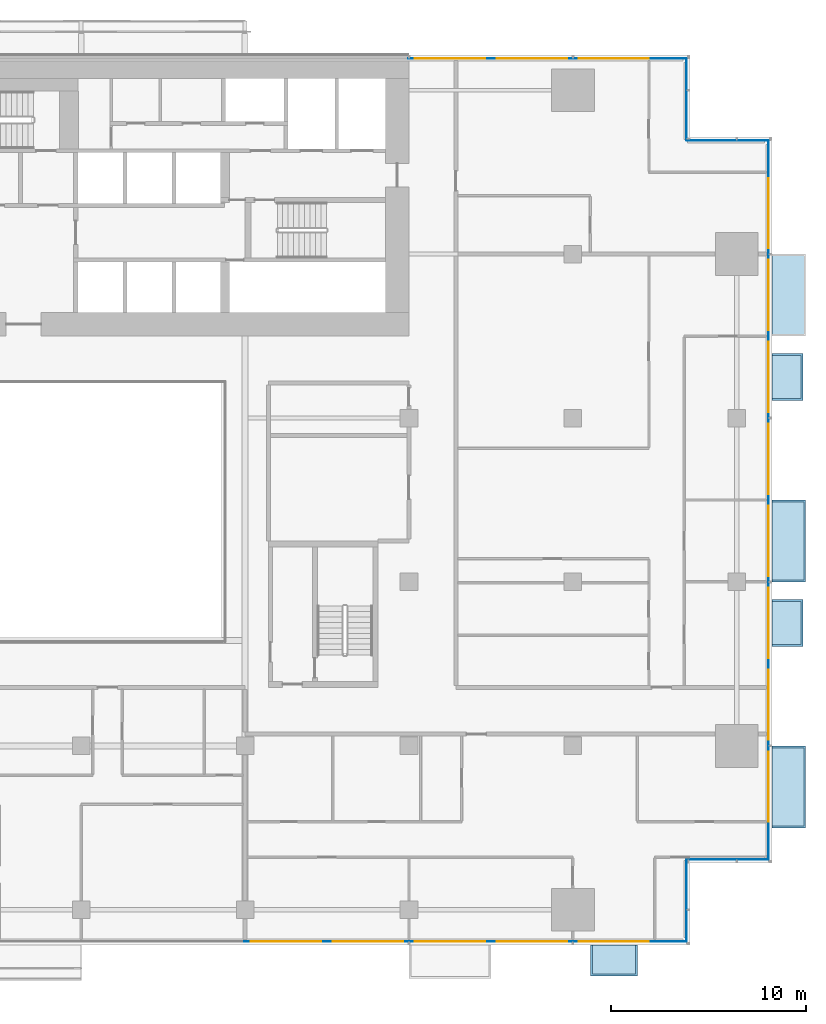
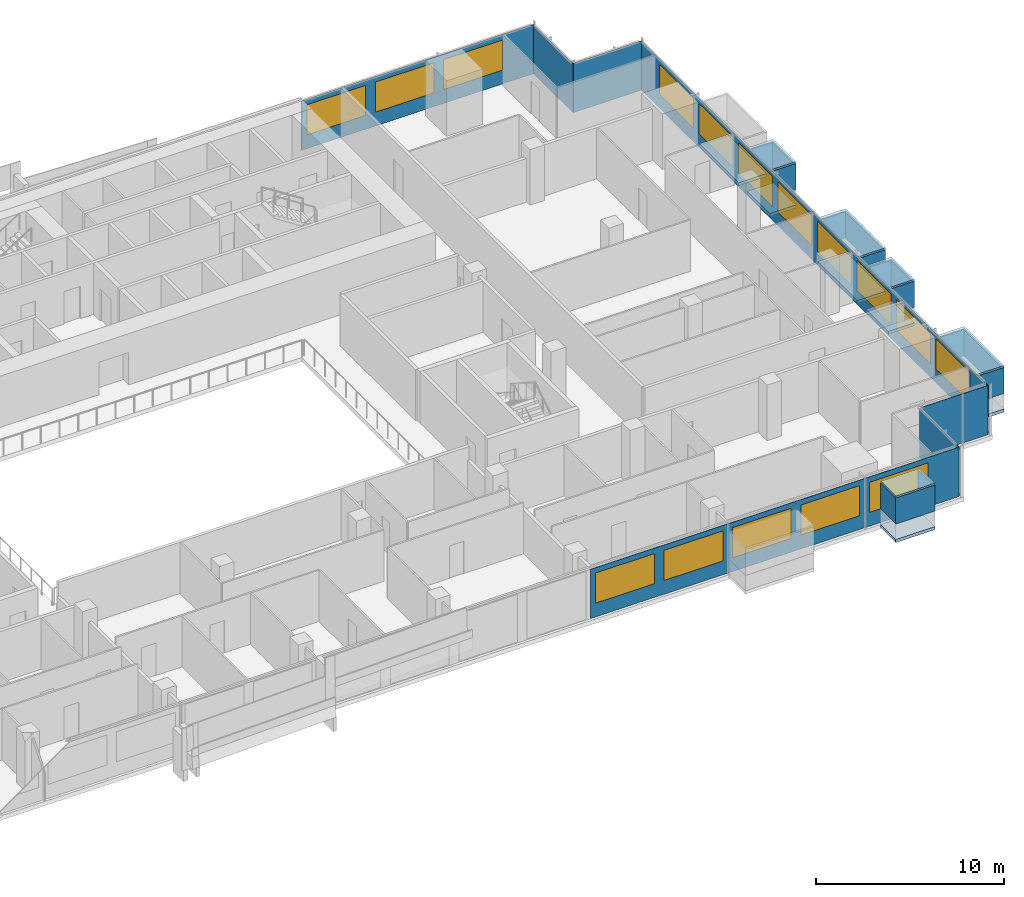
# One storey, part 16 of 27: 17 plates, 16 windows, 6 slabs, 16 openings, 7 elements without a shape of their own.
"""IFC4 building model written with IfcOpenShell, lengths in metres."""

from ifc_helpers import new_model, si_unit, direction, frame, frame_2d, origin, place, context, subcontext, project, spatial, polyline, rectangle, outline, extrude, material, layer, layer_set, type_object, element, fill, aggregate, save


model = new_model("IFC4")

# Units and contexts
model_context = context("Model", 3, precision=1e-05, world=origin(), true_north=direction((0.0, 1.0)))
body_context = subcontext(model_context, "Body", "Model", "MODEL_VIEW")
ifc_project = project(units=[si_unit("LENGTHUNIT", "METRE"), si_unit("AREAUNIT", "SQUARE_METRE"), si_unit("VOLUMEUNIT", "CUBIC_METRE"), si_unit("PLANEANGLEUNIT", "RADIAN"), si_unit("MASSUNIT", "GRAM", prefix="KILO")], contexts=[model_context])

# Site, building, storey
site_placement = place(None, origin())
site = spatial("IfcSite", under=ifc_project, at=site_placement, CompositionType="ELEMENT")
building_placement = place(site_placement, origin())
building = spatial("IfcBuilding", under=site, at=building_placement, Name="Saffron Gate Tower", CompositionType="ELEMENT")
storey_placement = place(building_placement, frame((0.0, 0.0, 40.800048828125)))
storey = spatial("IfcBuildingStorey", under=building, at=storey_placement, Name="L08", CompositionType="ELEMENT", Elevation=40.800048828125)

# Curtain wall, plate, openings, windows
ifc_material_1 = material(Name="Aluminium, bronze anodised", Category="aluminium")
curtain_wall_type_1 = type_object("IfcCurtainWallType", Name="CWS1 curtain wall front facade", PredefinedType="NOTDEFINED", material=ifc_material_1)
curtain_wall_1_placement = place(storey_placement, origin())
curtain_wall_1 = element("IfcCurtainWall", 1, at=curtain_wall_1_placement, inside=storey, type_object=curtain_wall_type_1, Name="CWS1 run 1", PredefinedType="NOTDEFINED")
ifc_material_2 = material(Name="Fritted bronze-tinted laminated glass", Category="glass")
ifc_layer_1 = layer(ifc_material_2, 0.028076171875)
ifc_layer_set_1 = layer_set([ifc_layer_1], Name="CWS1 fixed glass")
plate_type_1 = type_object("IfcPlateType", Name="CWS1 fixed glass", PredefinedType="CURTAIN_PANEL", material=ifc_layer_set_1)
plate_1_placement = place(storey_placement, frame((100.169921875, 30.174072265625, 0.0), z_axis=(0.0, 0.0, 1.0), x_axis=(1.0, 0.0, 0.0)))
plate_1 = element("IfcPlate", 2, at=plate_1_placement, type_object=plate_type_1, Name="CWS1 glass panel", PredefinedType="CURTAIN_PANEL", context=body_context, shape_type="SweptSolid", body=[
    extrude(rectangle(XDim=22.64208984375, YDim=0.028076171875, at=frame_2d((11.321044921875, 0.0))), origin(), (0.0, 0.0, 1.0), 3.199951171875),
])
opening_1_placement = place(plate_1_placement, frame((0.330078125, 0.0, 0.89990234375)))
opening_1 = element("IfcOpeningElement", 3, at=opening_1_placement, cuts=plate_1, Name="Opening W1", PredefinedType="OPENING", context=body_context, shape_type="SweptSolid", body=[
    extrude(rectangle(XDim=3.60009765625, YDim=1.949951171875, at=frame_2d((1.800048828125, 0.97509765625))), frame((0.0, 0.02392578125, 0.0), z_axis=(0.0, -1.0, 0.0), x_axis=(1.0, 0.0, 0.0)), (0.0, 0.0, 1.0), 0.048095703125),
])
opening_2_placement = place(plate_1_placement, frame((4.530029296875, 0.0, 0.89990234375)))
opening_2 = element("IfcOpeningElement", 4, at=opening_2_placement, cuts=plate_1, Name="Opening W1", PredefinedType="OPENING", context=body_context, shape_type="SweptSolid", body=[
    extrude(rectangle(XDim=3.60009765625, YDim=1.949951171875, at=frame_2d((1.800048828125, 0.97509765625))), frame((0.0, 0.02392578125, 0.0), z_axis=(0.0, -1.0, 0.0), x_axis=(1.0, 0.0, 0.0)), (0.0, 0.0, 1.0), 0.048095703125),
])
opening_3_placement = place(plate_1_placement, frame((8.72998046875, 0.0, 0.89990234375)))
opening_3 = element("IfcOpeningElement", 5, at=opening_3_placement, cuts=plate_1, Name="Opening W1", PredefinedType="OPENING", context=body_context, shape_type="SweptSolid", body=[
    extrude(rectangle(XDim=3.60009765625, YDim=1.949951171875, at=frame_2d((1.800048828125, 0.97509765625))), frame((0.0, 0.02392578125, 0.0), z_axis=(0.0, -1.0, 0.0), x_axis=(1.0, 0.0, 0.0)), (0.0, 0.0, 1.0), 0.048095703125),
])
opening_4_placement = place(plate_1_placement, frame((12.929931640625, 0.0, 0.89990234375)))
opening_4 = element("IfcOpeningElement", 6, at=opening_4_placement, cuts=plate_1, Name="Opening W1", PredefinedType="OPENING", context=body_context, shape_type="SweptSolid", body=[
    extrude(rectangle(XDim=3.60009765625, YDim=1.949951171875, at=frame_2d((1.800048828125, 0.97509765625))), frame((0.0, 0.02392578125, 0.0), z_axis=(0.0, -1.0, 0.0), x_axis=(1.0, 0.0, 0.0)), (0.0, 0.0, 1.0), 0.048095703125),
])
opening_5_placement = place(plate_1_placement, frame((17.1298828125, 0.0, 0.89990234375)))
opening_5 = element("IfcOpeningElement", 7, at=opening_5_placement, cuts=plate_1, Name="Opening W1", PredefinedType="OPENING", context=body_context, shape_type="SweptSolid", body=[
    extrude(rectangle(XDim=3.60009765625, YDim=1.949951171875, at=frame_2d((1.800048828125, 0.97509765625))), frame((0.0, 0.02392578125, 0.0), z_axis=(0.0, -1.0, 0.0), x_axis=(1.0, 0.0, 0.0)), (0.0, 0.0, 1.0), 0.048095703125),
])
ifc_material_3 = material(Name="Fritted bronze-tinted laminated glass in bronze frame", Category="glass")
ifc_layer_2 = layer(ifc_material_3, 0.06005859375)
ifc_layer_set_2 = layer_set([ifc_layer_2], Name="W1 operable panel 3600x1950")
window_type = type_object("IfcWindowType", Name="W1 operable panel 3600x1950", PartitioningType="DOUBLE_PANEL_HORIZONTAL", PredefinedType="WINDOW", material=ifc_layer_set_2)
window_1_placement = place(opening_1_placement, origin())
window_1 = element("IfcWindow", 8, at=window_1_placement, type_object=window_type, Name="W1 operable panel", OverallHeight=1.949951171875, OverallWidth=3.60009765625, PartitioningType="SINGLE_PANEL", PredefinedType="WINDOW", context=body_context, shape_type="SweptSolid", body=[
    extrude(rectangle(XDim=3.60009765625, YDim=1.949951171875, at=frame_2d((1.800048828125, 0.97509765625))), frame((0.0, 0.013671875, 0.0), z_axis=(0.0, -1.0, 0.0), x_axis=(1.0, 0.0, 0.0)), (0.0, 0.0, 1.0), 0.027587890625),
])
fill(opening_1, window_1)
window_2_placement = place(opening_2_placement, origin())
window_2 = element("IfcWindow", 9, at=window_2_placement, type_object=window_type, Name="W1 operable panel", OverallHeight=1.949951171875, OverallWidth=3.60009765625, PartitioningType="SINGLE_PANEL", PredefinedType="WINDOW", context=body_context, shape_type="SweptSolid", body=[
    extrude(rectangle(XDim=3.60009765625, YDim=1.949951171875, at=frame_2d((1.800048828125, 0.97509765625))), frame((0.0, 0.013671875, 0.0), z_axis=(0.0, -1.0, 0.0), x_axis=(1.0, 0.0, 0.0)), (0.0, 0.0, 1.0), 0.027587890625),
])
fill(opening_2, window_2)
window_3_placement = place(opening_3_placement, origin())
window_3 = element("IfcWindow", 10, at=window_3_placement, type_object=window_type, Name="W1 operable panel", OverallHeight=1.949951171875, OverallWidth=3.60009765625, PartitioningType="SINGLE_PANEL", PredefinedType="WINDOW", context=body_context, shape_type="SweptSolid", body=[
    extrude(rectangle(XDim=3.60009765625, YDim=1.949951171875, at=frame_2d((1.800048828125, 0.97509765625))), frame((0.0, 0.013671875, 0.0), z_axis=(0.0, -1.0, 0.0), x_axis=(1.0, 0.0, 0.0)), (0.0, 0.0, 1.0), 0.027587890625),
])
fill(opening_3, window_3)
window_4_placement = place(opening_4_placement, origin())
window_4 = element("IfcWindow", 11, at=window_4_placement, type_object=window_type, Name="W1 operable panel", OverallHeight=1.949951171875, OverallWidth=3.60009765625, PartitioningType="SINGLE_PANEL", PredefinedType="WINDOW", context=body_context, shape_type="SweptSolid", body=[
    extrude(rectangle(XDim=3.60009765625, YDim=1.949951171875, at=frame_2d((1.800048828125, 0.97509765625))), frame((0.0, 0.013671875, 0.0), z_axis=(0.0, -1.0, 0.0), x_axis=(1.0, 0.0, 0.0)), (0.0, 0.0, 1.0), 0.027587890625),
])
fill(opening_4, window_4)
window_5_placement = place(opening_5_placement, origin())
window_5 = element("IfcWindow", 12, at=window_5_placement, type_object=window_type, Name="W1 operable panel", OverallHeight=1.949951171875, OverallWidth=3.60009765625, PartitioningType="SINGLE_PANEL", PredefinedType="WINDOW", context=body_context, shape_type="SweptSolid", body=[
    extrude(rectangle(XDim=3.60009765625, YDim=1.949951171875, at=frame_2d((1.800048828125, 0.97509765625))), frame((0.0, 0.013671875, 0.0), z_axis=(0.0, -1.0, 0.0), x_axis=(1.0, 0.0, 0.0)), (0.0, 0.0, 1.0), 0.027587890625),
])
fill(opening_5, window_5)
aggregate(curtain_wall_1, [plate_1, window_1, window_2, window_3, window_4, window_5])

curtain_wall_type_2 = type_object("IfcCurtainWallType", Name="CWS2 curtain wall side facades", PredefinedType="NOTDEFINED", material=ifc_material_1)
curtain_wall_2_placement = place(storey_placement, origin())
curtain_wall_2 = element("IfcCurtainWall", 13, at=curtain_wall_2_placement, inside=storey, type_object=curtain_wall_type_2, Name="CWS2 run 4", PredefinedType="NOTDEFINED")
ifc_layer_3 = layer(ifc_material_2, 0.028076171875)
ifc_layer_set_3 = layer_set([ifc_layer_3], Name="CWS2 fixed glass")
plate_type_2 = type_object("IfcPlateType", Name="CWS2 fixed glass", PredefinedType="CURTAIN_PANEL", material=ifc_layer_set_3)
plate_2_placement = place(storey_placement, frame((127.02587890625, 34.387939453125, 0.0), z_axis=(0.0, 0.0, 1.0), x_axis=(0.0, 1.0, 0.0)))
plate_2 = element("IfcPlate", 14, at=plate_2_placement, type_object=plate_type_2, Name="CWS2 glass panel", PredefinedType="CURTAIN_PANEL", context=body_context, shape_type="SweptSolid", body=[
    extrude(rectangle(XDim=36.823974609375, YDim=0.028076171875, at=frame_2d((18.412109375, 0.0))), origin(), (0.0, 0.0, 1.0), 3.199951171875),
])
opening_6_placement = place(plate_2_placement, frame((1.912109375, 0.0, 0.89990234375)))
opening_6 = element("IfcOpeningElement", 15, at=opening_6_placement, cuts=plate_2, Name="Opening W1", PredefinedType="OPENING", context=body_context, shape_type="SweptSolid", body=[
    extrude(rectangle(XDim=3.60009765625, YDim=1.949951171875, at=frame_2d((1.800048828125, 0.97509765625))), frame((0.0, 0.02392578125, 0.0), z_axis=(0.0, -1.0, 0.0), x_axis=(1.0, 0.0, 0.0)), (0.0, 0.0, 1.0), 0.048095703125),
])
opening_7_placement = place(plate_2_placement, frame((6.112060546875, 0.0, 0.89990234375)))
opening_7 = element("IfcOpeningElement", 16, at=opening_7_placement, cuts=plate_2, Name="Opening W1", PredefinedType="OPENING", context=body_context, shape_type="SweptSolid", body=[
    extrude(rectangle(XDim=3.60009765625, YDim=1.949951171875, at=frame_2d((1.800048828125, 0.97509765625))), frame((0.0, 0.02392578125, 0.0), z_axis=(0.0, -1.0, 0.0), x_axis=(1.0, 0.0, 0.0)), (0.0, 0.0, 1.0), 0.048095703125),
])
opening_8_placement = place(plate_2_placement, frame((10.31201171875, 0.0, 0.89990234375)))
opening_8 = element("IfcOpeningElement", 17, at=opening_8_placement, cuts=plate_2, Name="Opening W1", PredefinedType="OPENING", context=body_context, shape_type="SweptSolid", body=[
    extrude(rectangle(XDim=3.60009765625, YDim=1.949951171875, at=frame_2d((1.800048828125, 0.97509765625))), frame((0.0, 0.02392578125, 0.0), z_axis=(0.0, -1.0, 0.0), x_axis=(1.0, 0.0, 0.0)), (0.0, 0.0, 1.0), 0.048095703125),
])
opening_9_placement = place(plate_2_placement, frame((14.511962890625, 0.0, 0.89990234375)))
opening_9 = element("IfcOpeningElement", 18, at=opening_9_placement, cuts=plate_2, Name="Opening W1", PredefinedType="OPENING", context=body_context, shape_type="SweptSolid", body=[
    extrude(rectangle(XDim=3.60009765625, YDim=1.949951171875, at=frame_2d((1.800048828125, 0.97509765625))), frame((0.0, 0.02392578125, 0.0), z_axis=(0.0, -1.0, 0.0), x_axis=(1.0, 0.0, 0.0)), (0.0, 0.0, 1.0), 0.048095703125),
])
opening_10_placement = place(plate_2_placement, frame((18.7119140625, 0.0, 0.89990234375)))
opening_10 = element("IfcOpeningElement", 19, at=opening_10_placement, cuts=plate_2, Name="Opening W1", PredefinedType="OPENING", context=body_context, shape_type="SweptSolid", body=[
    extrude(rectangle(XDim=3.60009765625, YDim=1.949951171875, at=frame_2d((1.800048828125, 0.97509765625))), frame((0.0, 0.02392578125, 0.0), z_axis=(0.0, -1.0, 0.0), x_axis=(1.0, 0.0, 0.0)), (0.0, 0.0, 1.0), 0.048095703125),
])
opening_11_placement = place(plate_2_placement, frame((22.912109375, 0.0, 0.89990234375)))
opening_11 = element("IfcOpeningElement", 20, at=opening_11_placement, cuts=plate_2, Name="Opening W1", PredefinedType="OPENING", context=body_context, shape_type="SweptSolid", body=[
    extrude(rectangle(XDim=3.60009765625, YDim=1.949951171875, at=frame_2d((1.800048828125, 0.97509765625))), frame((0.0, 0.02392578125, 0.0), z_axis=(0.0, -1.0, 0.0), x_axis=(1.0, 0.0, 0.0)), (0.0, 0.0, 1.0), 0.048095703125),
])
opening_12_placement = place(plate_2_placement, frame((27.112060546875, 0.0, 0.89990234375)))
opening_12 = element("IfcOpeningElement", 21, at=opening_12_placement, cuts=plate_2, Name="Opening W1", PredefinedType="OPENING", context=body_context, shape_type="SweptSolid", body=[
    extrude(rectangle(XDim=3.60009765625, YDim=1.949951171875, at=frame_2d((1.800048828125, 0.97509765625))), frame((0.0, 0.02392578125, 0.0), z_axis=(0.0, -1.0, 0.0), x_axis=(1.0, 0.0, 0.0)), (0.0, 0.0, 1.0), 0.048095703125),
])
opening_13_placement = place(plate_2_placement, frame((31.31201171875, 0.0, 0.89990234375)))
opening_13 = element("IfcOpeningElement", 22, at=opening_13_placement, cuts=plate_2, Name="Opening W1", PredefinedType="OPENING", context=body_context, shape_type="SweptSolid", body=[
    extrude(rectangle(XDim=3.60009765625, YDim=1.949951171875, at=frame_2d((1.800048828125, 0.97509765625))), frame((0.0, 0.02392578125, 0.0), z_axis=(0.0, -1.0, 0.0), x_axis=(1.0, 0.0, 0.0)), (0.0, 0.0, 1.0), 0.048095703125),
])
window_6_placement = place(opening_6_placement, origin())
window_6 = element("IfcWindow", 23, at=window_6_placement, type_object=window_type, Name="W1 operable panel", OverallHeight=1.949951171875, OverallWidth=3.60009765625, PartitioningType="SINGLE_PANEL", PredefinedType="WINDOW", context=body_context, shape_type="SweptSolid", body=[
    extrude(rectangle(XDim=3.60009765625, YDim=1.949951171875, at=frame_2d((1.800048828125, 0.97509765625))), frame((0.0, 0.013671875, 0.0), z_axis=(0.0, -1.0, 0.0), x_axis=(1.0, 0.0, 0.0)), (0.0, 0.0, 1.0), 0.027587890625),
])
fill(opening_6, window_6)
window_7_placement = place(opening_7_placement, origin())
window_7 = element("IfcWindow", 24, at=window_7_placement, type_object=window_type, Name="W1 operable panel", OverallHeight=1.949951171875, OverallWidth=3.60009765625, PartitioningType="SINGLE_PANEL", PredefinedType="WINDOW", context=body_context, shape_type="SweptSolid", body=[
    extrude(rectangle(XDim=3.60009765625, YDim=1.949951171875, at=frame_2d((1.800048828125, 0.97509765625))), frame((0.0, 0.013671875, 0.0), z_axis=(0.0, -1.0, 0.0), x_axis=(1.0, 0.0, 0.0)), (0.0, 0.0, 1.0), 0.027587890625),
])
fill(opening_7, window_7)
window_8_placement = place(opening_8_placement, origin())
window_8 = element("IfcWindow", 25, at=window_8_placement, type_object=window_type, Name="W1 operable panel", OverallHeight=1.949951171875, OverallWidth=3.60009765625, PartitioningType="SINGLE_PANEL", PredefinedType="WINDOW", context=body_context, shape_type="SweptSolid", body=[
    extrude(rectangle(XDim=3.60009765625, YDim=1.949951171875, at=frame_2d((1.800048828125, 0.97509765625))), frame((0.0, 0.013671875, 0.0), z_axis=(0.0, -1.0, 0.0), x_axis=(1.0, 0.0, 0.0)), (0.0, 0.0, 1.0), 0.027587890625),
])
fill(opening_8, window_8)
window_9_placement = place(opening_9_placement, origin())
window_9 = element("IfcWindow", 26, at=window_9_placement, type_object=window_type, Name="W1 operable panel", OverallHeight=1.949951171875, OverallWidth=3.60009765625, PartitioningType="SINGLE_PANEL", PredefinedType="WINDOW", context=body_context, shape_type="SweptSolid", body=[
    extrude(rectangle(XDim=3.60009765625, YDim=1.949951171875, at=frame_2d((1.800048828125, 0.97509765625))), frame((0.0, 0.013671875, 0.0), z_axis=(0.0, -1.0, 0.0), x_axis=(1.0, 0.0, 0.0)), (0.0, 0.0, 1.0), 0.027587890625),
])
fill(opening_9, window_9)
window_10_placement = place(opening_10_placement, origin())
window_10 = element("IfcWindow", 27, at=window_10_placement, type_object=window_type, Name="W1 operable panel", OverallHeight=1.949951171875, OverallWidth=3.60009765625, PartitioningType="SINGLE_PANEL", PredefinedType="WINDOW", context=body_context, shape_type="SweptSolid", body=[
    extrude(rectangle(XDim=3.60009765625, YDim=1.949951171875, at=frame_2d((1.800048828125, 0.97509765625))), frame((0.0, 0.013671875, 0.0), z_axis=(0.0, -1.0, 0.0), x_axis=(1.0, 0.0, 0.0)), (0.0, 0.0, 1.0), 0.027587890625),
])
fill(opening_10, window_10)
window_11_placement = place(opening_11_placement, origin())
window_11 = element("IfcWindow", 28, at=window_11_placement, type_object=window_type, Name="W1 operable panel", OverallHeight=1.949951171875, OverallWidth=3.60009765625, PartitioningType="SINGLE_PANEL", PredefinedType="WINDOW", context=body_context, shape_type="SweptSolid", body=[
    extrude(rectangle(XDim=3.60009765625, YDim=1.949951171875, at=frame_2d((1.800048828125, 0.97509765625))), frame((0.0, 0.013671875, 0.0), z_axis=(0.0, -1.0, 0.0), x_axis=(1.0, 0.0, 0.0)), (0.0, 0.0, 1.0), 0.027587890625),
])
fill(opening_11, window_11)
window_12_placement = place(opening_12_placement, origin())
window_12 = element("IfcWindow", 29, at=window_12_placement, type_object=window_type, Name="W1 operable panel", OverallHeight=1.949951171875, OverallWidth=3.60009765625, PartitioningType="SINGLE_PANEL", PredefinedType="WINDOW", context=body_context, shape_type="SweptSolid", body=[
    extrude(rectangle(XDim=3.60009765625, YDim=1.949951171875, at=frame_2d((1.800048828125, 0.97509765625))), frame((0.0, 0.013671875, 0.0), z_axis=(0.0, -1.0, 0.0), x_axis=(1.0, 0.0, 0.0)), (0.0, 0.0, 1.0), 0.027587890625),
])
fill(opening_12, window_12)
window_13_placement = place(opening_13_placement, origin())
window_13 = element("IfcWindow", 30, at=window_13_placement, type_object=window_type, Name="W1 operable panel", OverallHeight=1.949951171875, OverallWidth=3.60009765625, PartitioningType="SINGLE_PANEL", PredefinedType="WINDOW", context=body_context, shape_type="SweptSolid", body=[
    extrude(rectangle(XDim=3.60009765625, YDim=1.949951171875, at=frame_2d((1.800048828125, 0.97509765625))), frame((0.0, 0.013671875, 0.0), z_axis=(0.0, -1.0, 0.0), x_axis=(1.0, 0.0, 0.0)), (0.0, 0.0, 1.0), 0.027587890625),
])
fill(opening_13, window_13)
aggregate(curtain_wall_2, [plate_2, window_6, window_7, window_8, window_9, window_10, window_11, window_12, window_13])

curtain_wall_type_3 = type_object("IfcCurtainWallType", Name="CWS3 curtain wall rear facade", PredefinedType="NOTDEFINED", material=ifc_material_1)
curtain_wall_3_placement = place(storey_placement, origin())
curtain_wall_3 = element("IfcCurtainWall", 31, at=curtain_wall_3_placement, inside=storey, type_object=curtain_wall_type_3, Name="CWS3 run 7", PredefinedType="NOTDEFINED")
ifc_material_4 = material(Name="Fritted grey-tinted laminated glass", Category="glass")
ifc_layer_4 = layer(ifc_material_4, 0.028076171875)
ifc_layer_set_4 = layer_set([ifc_layer_4], Name="CWS3 fixed glass")
plate_type_3 = type_object("IfcPlateType", Name="CWS3 fixed glass", PredefinedType="CURTAIN_PANEL", material=ifc_layer_set_4)
plate_3_placement = place(storey_placement, frame((122.81201171875, 75.426025390625, 0.0), z_axis=(0.0, 0.0, 1.0), x_axis=(-1.0, 0.0, 0.0)))
plate_3 = element("IfcPlate", 32, at=plate_3_placement, type_object=plate_type_3, Name="CWS3 glass panel", PredefinedType="CURTAIN_PANEL", context=body_context, shape_type="SweptSolid", body=[
    extrude(rectangle(XDim=14.2470703125, YDim=0.028076171875, at=frame_2d((7.12353515625, 0.0))), origin(), (0.0, 0.0, 1.0), 3.199951171875),
])
opening_14_placement = place(plate_3_placement, frame((1.912109375, 0.0, 0.89990234375)))
opening_14 = element("IfcOpeningElement", 33, at=opening_14_placement, cuts=plate_3, Name="Opening W1", PredefinedType="OPENING", context=body_context, shape_type="SweptSolid", body=[
    extrude(rectangle(XDim=3.60009765625, YDim=1.949951171875, at=frame_2d((1.800048828125, 0.97509765625))), frame((0.0, 0.02392578125, 0.0), z_axis=(0.0, -1.0, 0.0), x_axis=(1.0, 0.0, 0.0)), (0.0, 0.0, 1.0), 0.048095703125),
])
opening_15_placement = place(plate_3_placement, frame((6.112060546875, 0.0, 0.89990234375)))
opening_15 = element("IfcOpeningElement", 34, at=opening_15_placement, cuts=plate_3, Name="Opening W1", PredefinedType="OPENING", context=body_context, shape_type="SweptSolid", body=[
    extrude(rectangle(XDim=3.60009765625, YDim=1.949951171875, at=frame_2d((1.800048828125, 0.97509765625))), frame((0.0, 0.02392578125, 0.0), z_axis=(0.0, -1.0, 0.0), x_axis=(1.0, 0.0, 0.0)), (0.0, 0.0, 1.0), 0.048095703125),
])
opening_16_placement = place(plate_3_placement, frame((10.31201171875, 0.0, 0.89990234375)))
opening_16 = element("IfcOpeningElement", 35, at=opening_16_placement, cuts=plate_3, Name="Opening W1", PredefinedType="OPENING", context=body_context, shape_type="SweptSolid", body=[
    extrude(rectangle(XDim=3.60009765625, YDim=1.949951171875, at=frame_2d((1.800048828125, 0.97509765625))), frame((0.0, 0.02392578125, 0.0), z_axis=(0.0, -1.0, 0.0), x_axis=(1.0, 0.0, 0.0)), (0.0, 0.0, 1.0), 0.048095703125),
])
window_14_placement = place(opening_14_placement, origin())
window_14 = element("IfcWindow", 36, at=window_14_placement, type_object=window_type, Name="W1 operable panel", OverallHeight=1.949951171875, OverallWidth=3.60009765625, PartitioningType="SINGLE_PANEL", PredefinedType="WINDOW", context=body_context, shape_type="SweptSolid", body=[
    extrude(rectangle(XDim=3.60009765625, YDim=1.949951171875, at=frame_2d((1.800048828125, 0.97509765625))), frame((0.0, 0.013671875, 0.0), z_axis=(0.0, -1.0, 0.0), x_axis=(1.0, 0.0, 0.0)), (0.0, 0.0, 1.0), 0.027587890625),
])
fill(opening_14, window_14)
window_15_placement = place(opening_15_placement, origin())
window_15 = element("IfcWindow", 37, at=window_15_placement, type_object=window_type, Name="W1 operable panel", OverallHeight=1.949951171875, OverallWidth=3.60009765625, PartitioningType="SINGLE_PANEL", PredefinedType="WINDOW", context=body_context, shape_type="SweptSolid", body=[
    extrude(rectangle(XDim=3.60009765625, YDim=1.949951171875, at=frame_2d((1.800048828125, 0.97509765625))), frame((0.0, 0.013671875, 0.0), z_axis=(0.0, -1.0, 0.0), x_axis=(1.0, 0.0, 0.0)), (0.0, 0.0, 1.0), 0.027587890625),
])
fill(opening_15, window_15)
window_16_placement = place(opening_16_placement, origin())
window_16 = element("IfcWindow", 38, at=window_16_placement, type_object=window_type, Name="W1 operable panel", OverallHeight=1.949951171875, OverallWidth=3.60009765625, PartitioningType="SINGLE_PANEL", PredefinedType="WINDOW", context=body_context, shape_type="SweptSolid", body=[
    extrude(rectangle(XDim=3.60009765625, YDim=1.949951171875, at=frame_2d((1.800048828125, 0.97509765625))), frame((0.0, 0.013671875, 0.0), z_axis=(0.0, -1.0, 0.0), x_axis=(1.0, 0.0, 0.0)), (0.0, 0.0, 1.0), 0.027587890625),
])
fill(opening_16, window_16)
aggregate(curtain_wall_3, [plate_3, window_14, window_15, window_16])

# Curtain wall, plate
curtain_wall_type_4 = type_object("IfcCurtainWallType", Name="CWS4 curtain wall corner returns", PredefinedType="NOTDEFINED", material=ifc_material_1)
curtain_wall_4_placement = place(storey_placement, origin())
curtain_wall_4 = element("IfcCurtainWall", 39, at=curtain_wall_4_placement, inside=storey, type_object=curtain_wall_type_4, Name="CWS4 run 2", PredefinedType="NOTDEFINED")
ifc_layer_5 = layer(ifc_material_2, 0.028076171875)
ifc_layer_set_5 = layer_set([ifc_layer_5], Name="CWS4 fixed glass")
plate_type_4 = type_object("IfcPlateType", Name="CWS4 fixed glass", PredefinedType="CURTAIN_PANEL", material=ifc_layer_set_5)
plate_4_placement = place(storey_placement, frame((122.825927734375, 30.18798828125, 0.0), z_axis=(0.0, 0.0, 1.0), x_axis=(0.0, 1.0, 0.0)))
plate_4 = element("IfcPlate", 40, at=plate_4_placement, type_object=plate_type_4, Name="CWS4 glass panel", PredefinedType="CURTAIN_PANEL", context=body_context, shape_type="SweptSolid", body=[
    extrude(rectangle(XDim=4.172119140625, YDim=0.028076171875, at=frame_2d((2.0859375, 0.0))), origin(), (0.0, 0.0, 1.0), 3.199951171875),
])
aggregate(curtain_wall_4, [plate_4])

curtain_wall_5_placement = place(storey_placement, origin())
curtain_wall_5 = element("IfcCurtainWall", 41, at=curtain_wall_5_placement, inside=storey, type_object=curtain_wall_type_4, Name="CWS4 run 3", PredefinedType="NOTDEFINED")
plate_5_placement = place(storey_placement, frame((122.840087890625, 34.3740234375, 0.0), z_axis=(0.0, 0.0, 1.0), x_axis=(1.0, 0.0, 0.0)))
plate_5 = element("IfcPlate", 42, at=plate_5_placement, type_object=plate_type_4, Name="CWS4 glass panel", PredefinedType="CURTAIN_PANEL", context=body_context, shape_type="SweptSolid", body=[
    extrude(rectangle(XDim=4.171875, YDim=0.028076171875, at=frame_2d((2.0859375, 0.0))), origin(), (0.0, 0.0, 1.0), 3.199951171875),
])
aggregate(curtain_wall_5, [plate_5])

curtain_wall_6_placement = place(storey_placement, origin())
curtain_wall_6 = element("IfcCurtainWall", 43, at=curtain_wall_6_placement, inside=storey, type_object=curtain_wall_type_4, Name="CWS4 run 5", PredefinedType="NOTDEFINED")
plate_6_placement = place(storey_placement, frame((127.011962890625, 71.22607421875, 0.0), z_axis=(0.0, 0.0, 1.0), x_axis=(-1.0, 0.0, 0.0)))
plate_6 = element("IfcPlate", 44, at=plate_6_placement, type_object=plate_type_4, Name="CWS4 glass panel", PredefinedType="CURTAIN_PANEL", context=body_context, shape_type="SweptSolid", body=[
    extrude(rectangle(XDim=4.171875, YDim=0.028076171875, at=frame_2d((2.0859375, 0.0))), origin(), (0.0, 0.0, 1.0), 3.199951171875),
])
aggregate(curtain_wall_6, [plate_6])

curtain_wall_7_placement = place(storey_placement, origin())
curtain_wall_7 = element("IfcCurtainWall", 45, at=curtain_wall_7_placement, inside=storey, type_object=curtain_wall_type_4, Name="CWS4 run 6", PredefinedType="NOTDEFINED")
plate_7_placement = place(storey_placement, frame((122.825927734375, 71.239990234375, 0.0), z_axis=(0.0, 0.0, 1.0), x_axis=(0.0, 1.0, 0.0)))
plate_7 = element("IfcPlate", 46, at=plate_7_placement, type_object=plate_type_4, Name="CWS4 glass panel", PredefinedType="CURTAIN_PANEL", context=body_context, shape_type="SweptSolid", body=[
    extrude(rectangle(XDim=4.172119140625, YDim=0.028076171875, at=frame_2d((2.0859375, 0.0))), origin(), (0.0, 0.0, 1.0), 3.199951171875),
])
aggregate(curtain_wall_7, [plate_7])

# Slabs
ifc_material_5 = material(Name="Timber deck on bronze frame", Category="wood")
ifc_layer_6 = layer(ifc_material_5, 0.199951171875)
ifc_layer_set_6 = layer_set([ifc_layer_6], Name="WB1 box floor")
slab_type = type_object("IfcSlabType", Name="WB1 box floor", PredefinedType="FLOOR", material=ifc_layer_set_6)
slab_1_placement = place(storey_placement, frame((0.0, 0.0, -0.199951171875)))
element("IfcSlab", 47, at=slab_1_placement, inside=storey, type_object=slab_type, Name="WINDOW BOX floor", PredefinedType="FLOOR", context=body_context, shape_type="SweptSolid", body=[
    extrude(outline(polyline([(117.89990234375, 30.0), (120.300048828125, 30.0), (120.300048828125, 28.39990234375), (117.89990234375, 28.39990234375), (117.89990234375, 30.0)])), origin(), (0.0, 0.0, 1.0), 0.199951171875),
])
slab_2_placement = place(storey_placement, frame((0.0, 0.0, -0.199951171875)))
element("IfcSlab", 48, at=slab_2_placement, inside=storey, type_object=slab_type, Name="WINDOW BOX floor", PredefinedType="FLOOR", context=body_context, shape_type="SweptSolid", body=[
    extrude(outline(polyline([(127.199951171875, 36.0), (127.199951171875, 40.199951171875), (128.93310546875, 40.199951171875), (128.93310546875, 36.0), (127.199951171875, 36.0)])), origin(), (0.0, 0.0, 1.0), 0.199951171875),
])
slab_3_placement = place(storey_placement, frame((0.0, 0.0, -0.199951171875)))
element("IfcSlab", 49, at=slab_3_placement, inside=storey, type_object=slab_type, Name="WINDOW BOX floor", PredefinedType="FLOOR", context=body_context, shape_type="SweptSolid", body=[
    extrude(outline(polyline([(127.199951171875, 45.300048828125), (127.199951171875, 47.699951171875), (128.800048828125, 47.699951171875), (128.800048828125, 45.300048828125), (127.199951171875, 45.300048828125)])), origin(), (0.0, 0.0, 1.0), 0.199951171875),
])
slab_4_placement = place(storey_placement, frame((0.0, 0.0, -0.199951171875)))
element("IfcSlab", 50, at=slab_4_placement, inside=storey, type_object=slab_type, Name="WINDOW BOX floor", PredefinedType="FLOOR", context=body_context, shape_type="SweptSolid", body=[
    extrude(outline(polyline([(127.199951171875, 48.60009765625), (127.199951171875, 52.800048828125), (128.93310546875, 52.800048828125), (128.93310546875, 48.60009765625), (127.199951171875, 48.60009765625)])), origin(), (0.0, 0.0, 1.0), 0.199951171875),
])
slab_5_placement = place(storey_placement, frame((0.0, 0.0, -0.199951171875)))
element("IfcSlab", 51, at=slab_5_placement, inside=storey, type_object=slab_type, Name="WINDOW BOX floor", PredefinedType="FLOOR", context=body_context, shape_type="SweptSolid", body=[
    extrude(outline(polyline([(127.199951171875, 57.89990234375), (127.199951171875, 60.300048828125), (128.800048828125, 60.300048828125), (128.800048828125, 57.89990234375), (127.199951171875, 57.89990234375)])), origin(), (0.0, 0.0, 1.0), 0.199951171875),
])
slab_6_placement = place(storey_placement, frame((0.0, 0.0, -0.199951171875)))
element("IfcSlab", 52, at=slab_6_placement, inside=storey, type_object=slab_type, Name="WINDOW BOX floor", PredefinedType="FLOOR", context=body_context, shape_type="SweptSolid", body=[
    extrude(outline(polyline([(127.199951171875, 61.199951171875), (127.199951171875, 65.39990234375), (128.93310546875, 65.39990234375), (128.93310546875, 61.199951171875), (127.199951171875, 61.199951171875)])), origin(), (0.0, 0.0, 1.0), 0.199951171875),
])

# Plates
ifc_layer_7 = layer(ifc_material_1, 0.1201171875)
ifc_layer_set_7 = layer_set([ifc_layer_7], Name="WB2 box roof")
plate_type_5 = type_object("IfcPlateType", Name="WB2 box roof", PredefinedType="SHEET", material=ifc_layer_set_7)
plate_8_placement = place(storey_placement, frame((0.0, 0.0, 2.699951171875)))
element("IfcPlate", 53, at=plate_8_placement, inside=storey, type_object=plate_type_5, Name="WINDOW BOX roof", PredefinedType="SHEET", context=body_context, shape_type="SweptSolid", body=[
    extrude(outline(polyline([(117.89990234375, 30.0), (120.300048828125, 30.0), (120.300048828125, 28.39990234375), (117.89990234375, 28.39990234375), (117.89990234375, 30.0)])), origin(), (0.0, 0.0, 1.0), 0.1201171875),
])
plate_9_placement = place(storey_placement, frame((0.0, 0.0, 2.699951171875)))
element("IfcPlate", 54, at=plate_9_placement, inside=storey, type_object=plate_type_5, Name="WINDOW BOX roof", PredefinedType="SHEET", context=body_context, shape_type="SweptSolid", body=[
    extrude(outline(polyline([(127.199951171875, 36.0), (127.199951171875, 40.199951171875), (128.93310546875, 40.199951171875), (128.93310546875, 36.0), (127.199951171875, 36.0)])), origin(), (0.0, 0.0, 1.0), 0.1201171875),
])
plate_10_placement = place(storey_placement, frame((0.0, 0.0, 2.699951171875)))
element("IfcPlate", 55, at=plate_10_placement, inside=storey, type_object=plate_type_5, Name="WINDOW BOX roof", PredefinedType="SHEET", context=body_context, shape_type="SweptSolid", body=[
    extrude(outline(polyline([(127.199951171875, 45.300048828125), (127.199951171875, 47.699951171875), (128.800048828125, 47.699951171875), (128.800048828125, 45.300048828125), (127.199951171875, 45.300048828125)])), origin(), (0.0, 0.0, 1.0), 0.1201171875),
])
plate_11_placement = place(storey_placement, frame((0.0, 0.0, 2.699951171875)))
element("IfcPlate", 56, at=plate_11_placement, inside=storey, type_object=plate_type_5, Name="WINDOW BOX roof", PredefinedType="SHEET", context=body_context, shape_type="SweptSolid", body=[
    extrude(outline(polyline([(127.199951171875, 48.60009765625), (127.199951171875, 52.800048828125), (128.93310546875, 52.800048828125), (128.93310546875, 48.60009765625), (127.199951171875, 48.60009765625)])), origin(), (0.0, 0.0, 1.0), 0.1201171875),
])
plate_12_placement = place(storey_placement, frame((0.0, 0.0, 2.699951171875)))
element("IfcPlate", 57, at=plate_12_placement, inside=storey, type_object=plate_type_5, Name="WINDOW BOX roof", PredefinedType="SHEET", context=body_context, shape_type="SweptSolid", body=[
    extrude(outline(polyline([(127.199951171875, 57.89990234375), (127.199951171875, 60.300048828125), (128.800048828125, 60.300048828125), (128.800048828125, 57.89990234375), (127.199951171875, 57.89990234375)])), origin(), (0.0, 0.0, 1.0), 0.1201171875),
])
ifc_material_6 = material(Name="Clear low-iron laminated glass", Category="glass")
ifc_layer_8 = layer(ifc_material_6, 0.10009765625)
ifc_layer_set_8 = layer_set([ifc_layer_8], Name="WB6 box glazing")
plate_type_6 = type_object("IfcPlateType", Name="WB6 box glazing", PredefinedType="SHEET", material=ifc_layer_set_8)
plate_13_placement = place(storey_placement, frame((0.0, 0.0, 1.0)))
element("IfcPlate", 58, at=plate_13_placement, inside=storey, type_object=plate_type_6, Name="WINDOW BOX glazing", PredefinedType="SHEET", context=body_context, shape_type="SweptSolid", body=[
    extrude(outline(polyline([(117.89990234375, 30.0), (118.0, 30.0), (118.0, 28.5), (120.199951171875, 28.5), (120.199951171875, 30.0), (120.300048828125, 30.0), (120.300048828125, 28.39990234375), (117.89990234375, 28.39990234375), (117.89990234375, 30.0)])), origin(), (0.0, 0.0, 1.0), 1.699951171875),
])
plate_14_placement = place(storey_placement, frame((0.0, 0.0, 1.0)))
element("IfcPlate", 59, at=plate_14_placement, inside=storey, type_object=plate_type_6, Name="WINDOW BOX glazing", PredefinedType="SHEET", context=body_context, shape_type="SweptSolid", body=[
    extrude(outline(polyline([(127.199951171875, 36.0), (127.199951171875, 36.10009765625), (128.8330078125, 36.10009765625), (128.8330078125, 40.10009765625), (127.199951171875, 40.10009765625), (127.199951171875, 40.199951171875), (128.93310546875, 40.199951171875), (128.93310546875, 36.0), (127.199951171875, 36.0)])), origin(), (0.0, 0.0, 1.0), 1.699951171875),
])
plate_15_placement = place(storey_placement, frame((0.0, 0.0, 1.0)))
element("IfcPlate", 60, at=plate_15_placement, inside=storey, type_object=plate_type_6, Name="WINDOW BOX glazing", PredefinedType="SHEET", context=body_context, shape_type="SweptSolid", body=[
    extrude(outline(polyline([(127.199951171875, 45.300048828125), (127.199951171875, 45.39990234375), (128.699951171875, 45.39990234375), (128.699951171875, 47.60009765625), (127.199951171875, 47.60009765625), (127.199951171875, 47.699951171875), (128.800048828125, 47.699951171875), (128.800048828125, 45.300048828125), (127.199951171875, 45.300048828125)])), origin(), (0.0, 0.0, 1.0), 1.699951171875),
])
plate_16_placement = place(storey_placement, frame((0.0, 0.0, 1.0)))
element("IfcPlate", 61, at=plate_16_placement, inside=storey, type_object=plate_type_6, Name="WINDOW BOX glazing", PredefinedType="SHEET", context=body_context, shape_type="SweptSolid", body=[
    extrude(outline(polyline([(127.199951171875, 48.60009765625), (127.199951171875, 48.699951171875), (128.8330078125, 48.699951171875), (128.8330078125, 52.699951171875), (127.199951171875, 52.699951171875), (127.199951171875, 52.800048828125), (128.93310546875, 52.800048828125), (128.93310546875, 48.60009765625), (127.199951171875, 48.60009765625)])), origin(), (0.0, 0.0, 1.0), 1.699951171875),
])
plate_17_placement = place(storey_placement, frame((0.0, 0.0, 1.0)))
element("IfcPlate", 62, at=plate_17_placement, inside=storey, type_object=plate_type_6, Name="WINDOW BOX glazing", PredefinedType="SHEET", context=body_context, shape_type="SweptSolid", body=[
    extrude(outline(polyline([(127.199951171875, 57.89990234375), (127.199951171875, 58.0), (128.699951171875, 58.0), (128.699951171875, 60.199951171875), (127.199951171875, 60.199951171875), (127.199951171875, 60.300048828125), (128.800048828125, 60.300048828125), (128.800048828125, 57.89990234375), (127.199951171875, 57.89990234375)])), origin(), (0.0, 0.0, 1.0), 1.699951171875),
])

save(model, "model.ifc")
